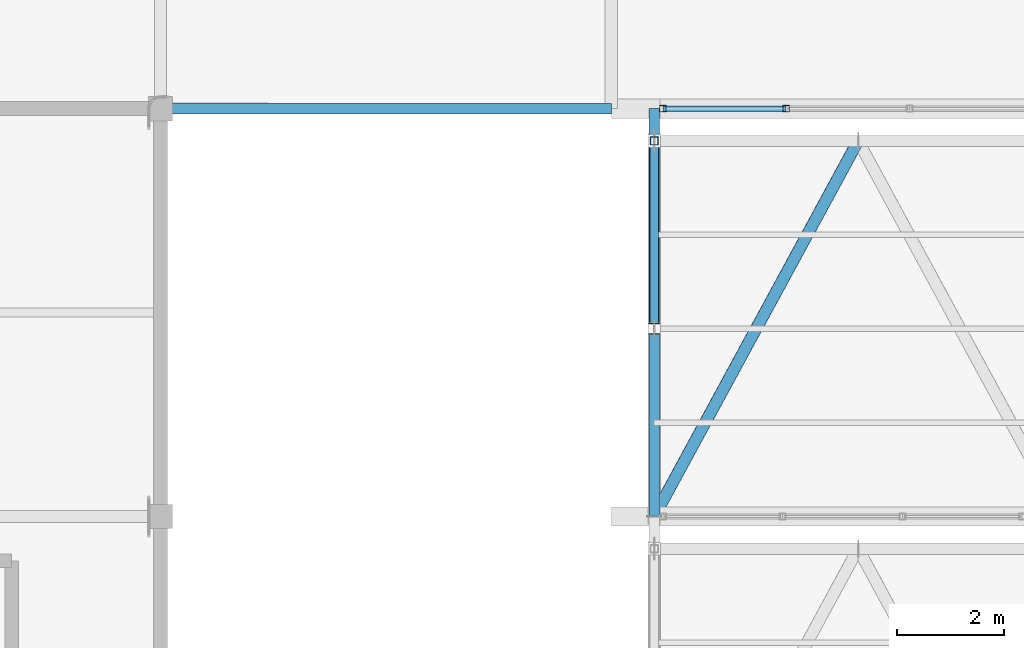
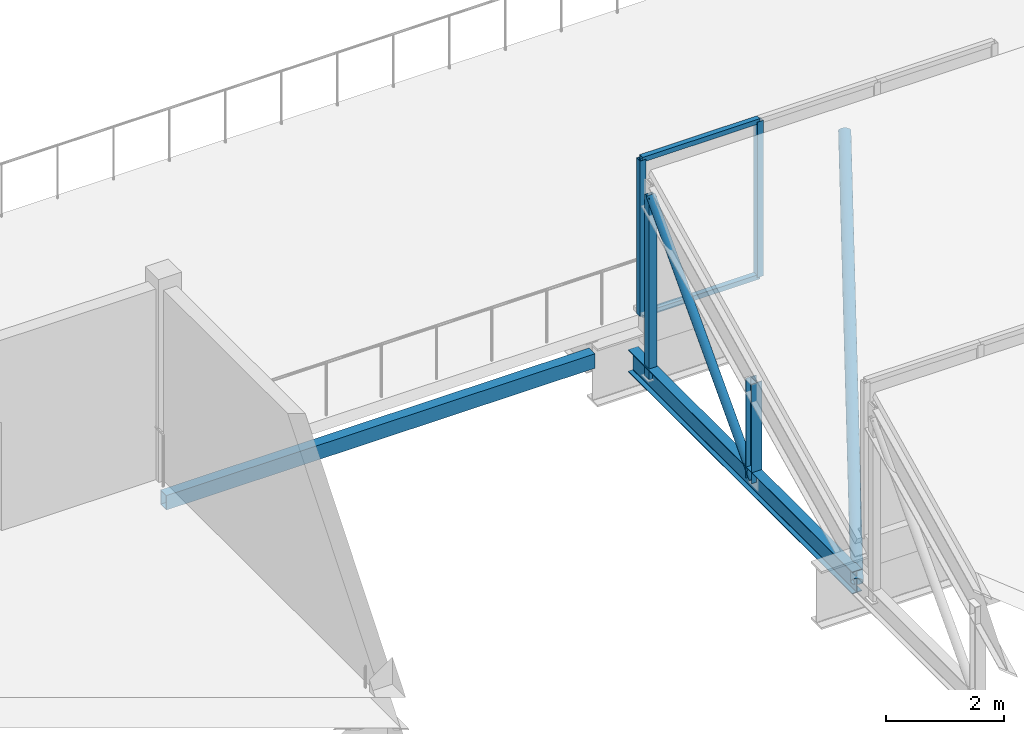
# One storey, part 17 of 57: 9 members, 1 beam, 1 element without a shape of its own.
"""IFC4 building model written with IfcOpenShell, lengths in metres."""

from ifc_helpers import new_model, si_unit, direction, frame, origin, origin_2d, place, context, subcontext, project, spatial, hollow_rectangle, hollow_circle, i_section, extrude, material, material_profile, profile_set, type_object, element, aggregate, save


model = new_model("IFC4")

# Units and contexts
model_context = context("Model", 3, precision=1e-05, world=origin(), true_north=direction((0.0, 1.0)))
body_context = subcontext(model_context, "Body", "Model", "MODEL_VIEW")
ifc_project = project(units=[si_unit("LENGTHUNIT", "METRE"), si_unit("AREAUNIT", "SQUARE_METRE"), si_unit("VOLUMEUNIT", "CUBIC_METRE"), si_unit("PLANEANGLEUNIT", "RADIAN"), si_unit("MASSUNIT", "GRAM", prefix="KILO")], contexts=[model_context])

# Site, building, storey
site_placement = place(None, origin())
site = spatial("IfcSite", under=ifc_project, at=site_placement, CompositionType="ELEMENT")
building_placement = place(site_placement, origin())
building = spatial("IfcBuilding", under=site, at=building_placement, Name="Zuvorla Pavilion Media Centre", CompositionType="ELEMENT")
storey_placement = place(building_placement, frame((0.0, 0.0, 18.0)))
storey = spatial("IfcBuildingStorey", under=building, at=storey_placement, Name="L04", CompositionType="ELEMENT", Elevation=18.0)

# Beam
ifc_material_1 = material(Name="Steel S355", Category="steel")
ifc_material_profile_1 = material_profile(ifc_material_1, hollow_rectangle(XDim=0.199951171875, YDim=0.300048828125, WallThickness=0.012451171875, at=origin_2d()), Name="RHS 300x200x12.5")
ifc_profile_set_1 = profile_set([ifc_material_profile_1], Name="Steel S355")
beam_type = type_object("IfcBeamType", Name="BM-SP-RHS300", PredefinedType="SPANDREL", material=ifc_profile_set_1)
beam_placement = place(storey_placement, frame((108.800048828125, 44.0, -0.577880859375), z_axis=(1.0, 0.0, 0.0), x_axis=(0.0, 1.0, 0.0)))
element("IfcBeam", 1, at=beam_placement, inside=storey, type_object=beam_type, Name="L04 spandrel SP01 1328", PredefinedType="SPANDREL", context=body_context, shape_type="SweptSolid", body=[
    extrude(hollow_rectangle(XDim=0.199951171875, YDim=0.300048828125, WallThickness=0.012451171875, at=origin_2d()), origin(), (0.0, 0.0, 1.0), 8.39990234375),
])

# Curtain wall, members
ifc_material_2 = material(Name="Unitised anodised aluminium and solar glass curtain wall", Category="aluminium")
curtain_wall_type = type_object("IfcCurtainWallType", Name="CW-SYS-92", PredefinedType="USERDEFINED", material=ifc_material_2)
curtain_wall_placement = place(storey_placement, origin())
curtain_wall = element("IfcCurtainWall", 2, at=curtain_wall_placement, inside=storey, type_object=curtain_wall_type, Name="L04 curtain wall CW92 246", ObjectType="CURTAIN WALL", PredefinedType="USERDEFINED")
ifc_material_3 = material(Name="Anodised aluminium 6063-T6", Category="aluminium")
ifc_material_profile_2 = material_profile(ifc_material_3, hollow_rectangle(XDim=0.1201171875, YDim=0.1201171875, WallThickness=0.0048828125, at=origin_2d()), Name="ALU MULL 120x120")
ifc_profile_set_2 = profile_set([ifc_material_profile_2], Name="Anodised aluminium 6063-T6")
member_type_1 = type_object("IfcMemberType", Name="CW-MULL-120", PredefinedType="MULLION", material=ifc_profile_set_2)
member_1_placement = place(storey_placement, frame((118.159912109375, 44.0, 0.0), z_axis=(0.0, 0.0, 1.0), x_axis=(1.0, 0.0, 0.0)))
member_1 = element("IfcMember", 3, at=member_1_placement, type_object=member_type_1, Name="CW92 mullion 1", PredefinedType="MULLION", context=body_context, shape_type="SweptSolid", body=[
    extrude(hollow_rectangle(XDim=0.1201171875, YDim=0.1201171875, WallThickness=0.0048828125, at=origin_2d()), origin(), (0.0, 0.0, 1.0), 3.219970703125),
])
member_2_placement = place(storey_placement, frame((120.458984375, 44.0, 0.0), z_axis=(0.0, 0.0, 1.0), x_axis=(1.0, 0.0, 0.0)))
member_2 = element("IfcMember", 4, at=member_2_placement, type_object=member_type_1, Name="CW92 mullion 2", PredefinedType="MULLION", context=body_context, shape_type="SweptSolid", body=[
    extrude(hollow_rectangle(XDim=0.1201171875, YDim=0.1201171875, WallThickness=0.0048828125, at=origin_2d()), origin(), (0.0, 0.0, 1.0), 3.219970703125),
])
ifc_material_profile_3 = material_profile(ifc_material_3, hollow_rectangle(XDim=0.10009765625, YDim=0.10009765625, WallThickness=0.00439453125, at=origin_2d()), Name="ALU TRAN 100x100")
ifc_profile_set_3 = profile_set([ifc_material_profile_3], Name="Anodised aluminium 6063-T6")
member_type_2 = type_object("IfcMemberType", Name="CW-TRAN-100", PredefinedType="USERDEFINED", material=ifc_profile_set_3)
member_3_placement = place(storey_placement, frame((118.159912109375, 44.0, 0.0), z_axis=(1.0, 0.0, 0.0), x_axis=(0.0, 1.0, 0.0)))
member_3 = element("IfcMember", 5, at=member_3_placement, type_object=member_type_2, Name="CW92 transom 1.1", ObjectType="TRANSOM", PredefinedType="USERDEFINED", context=body_context, shape_type="SweptSolid", body=[
    extrude(hollow_rectangle(XDim=0.10009765625, YDim=0.10009765625, WallThickness=0.00439453125, at=origin_2d()), origin(), (0.0, 0.0, 1.0), 2.299072265625),
])
member_4_placement = place(storey_placement, frame((118.159912109375, 44.0, 3.219970703125), z_axis=(1.0, 0.0, 0.0), x_axis=(0.0, 1.0, 0.0)))
member_4 = element("IfcMember", 6, at=member_4_placement, type_object=member_type_2, Name="CW92 transom 1.2", ObjectType="TRANSOM", PredefinedType="USERDEFINED", context=body_context, shape_type="SweptSolid", body=[
    extrude(hollow_rectangle(XDim=0.10009765625, YDim=0.10009765625, WallThickness=0.00439453125, at=origin_2d()), origin(), (0.0, 0.0, 1.0), 2.299072265625),
])
aggregate(curtain_wall, [member_1, member_2, member_3, member_4])

# Members
ifc_material_profile_4 = material_profile(ifc_material_1, hollow_circle(Radius=0.084228515625, WallThickness=0.008056640625, at=origin_2d()), Name="CHS 168.3x8")
ifc_profile_set_4 = profile_set([ifc_material_profile_4], Name="Steel S355")
member_type_3 = type_object("IfcMemberType", Name="MEM-BRC-CHS168", PredefinedType="BRACE", material=ifc_profile_set_4)
member_5_placement = place(storey_placement, frame((118.0, 39.89990234375, -0.8798828125), z_axis=(0.0, 0.681156069412, 0.732138244529), x_axis=(-1.0, 0.0, 0.0)))
element("IfcMember", 7, at=member_5_placement, inside=storey, type_object=member_type_3, Name="L04 diagonal brace TB03 741", PredefinedType="BRACE", context=body_context, shape_type="SweptSolid", body=[
    extrude(hollow_circle(Radius=0.084228515625, WallThickness=0.008056640625, at=origin_2d()), origin(), (0.0, 0.0, 1.0), 5.138427734375),
])
ifc_material_profile_5 = material_profile(ifc_material_1, hollow_circle(Radius=0.109619140625, WallThickness=0.010009765625, at=origin_2d()), Name="CHS 219.1x10")
ifc_profile_set_5 = profile_set([ifc_material_profile_5], Name="Steel S355")
member_type_4 = type_object("IfcMemberType", Name="MEM-BRC-CHS219", PredefinedType="BRACE", material=ifc_profile_set_5)
member_6_placement = place(storey_placement, frame((118.0, 36.39990234375, -0.8798828125), z_axis=(0.431398513672, 0.79467126142, 0.427074827958), x_axis=(-0.878850861224, 0.477096597899, 0.0)))
element("IfcMember", 8, at=member_6_placement, inside=storey, type_object=member_type_4, Name="L04 diagonal brace TB02 769", PredefinedType="BRACE", context=body_context, shape_type="SweptSolid", body=[
    extrude(hollow_circle(Radius=0.109619140625, WallThickness=0.010009765625, at=origin_2d()), origin(), (0.0, 0.0, 1.0), 8.80859375),
])
ifc_material_profile_6 = material_profile(ifc_material_1, i_section(OverallWidth=0.19140625, OverallDepth=0.4599609375, WebThickness=0.010009765625, FlangeThickness=0.01611328125, FilletRadius=0.01025390625, at=origin_2d()), Name="UB 457x191x82")
ifc_profile_set_6 = profile_set([ifc_material_profile_6], Name="Steel S355")
member_type_5 = type_object("IfcMemberType", Name="MEM-CHD-UB457", PredefinedType="CHORD", material=ifc_profile_set_6)
member_7_placement = place(storey_placement, frame((118.0, 36.39990234375, -0.8798828125), z_axis=(0.0, 1.0, 0.0), x_axis=(-1.0, 0.0, 0.0)))
element("IfcMember", 9, at=member_7_placement, inside=storey, type_object=member_type_5, Name="L04 chord TC03 738", PredefinedType="CHORD", context=body_context, shape_type="SweptSolid", body=[
    extrude(i_section(OverallWidth=0.19140625, OverallDepth=0.4599609375, WebThickness=0.010009765625, FlangeThickness=0.01611328125, FilletRadius=0.01025390625, at=origin_2d()), origin(), (0.0, 0.0, 1.0), 7.60009765625),
])
ifc_material_profile_7 = material_profile(ifc_material_1, hollow_rectangle(XDim=0.14990234375, YDim=0.14990234375, WallThickness=0.008056640625, at=origin_2d()), Name="SHS 150x150x8")
ifc_profile_set_7 = profile_set([ifc_material_profile_7], Name="Steel S355")
member_type_6 = type_object("IfcMemberType", Name="MEM-STR-SHS150", PredefinedType="STRUT", material=ifc_profile_set_7)
member_8_placement = place(storey_placement, frame((118.0, 43.39990234375, -0.8798828125), z_axis=(0.0, 0.0, 1.0), x_axis=(1.0, 0.0, 0.0)))
element("IfcMember", 10, at=member_8_placement, inside=storey, type_object=member_type_6, Name="L04 vertical strut TS01 740", PredefinedType="STRUT", context=body_context, shape_type="SweptSolid", body=[
    extrude(hollow_rectangle(XDim=0.14990234375, YDim=0.14990234375, WallThickness=0.008056640625, at=origin_2d()), origin(), (0.0, 0.0, 1.0), 3.761962890625),
])
ifc_material_profile_8 = material_profile(ifc_material_1, i_section(OverallWidth=0.205810546875, OverallDepth=0.209716796875, WebThickness=0.009521484375, FlangeThickness=0.01416015625, FilletRadius=0.01025390625, at=origin_2d()), Name="UC 203x203x60")
ifc_profile_set_8 = profile_set([ifc_material_profile_8], Name="Steel S355")
member_type_7 = type_object("IfcMemberType", Name="MEM-STR-UC203", PredefinedType="STRUT", material=ifc_profile_set_8)
member_9_placement = place(storey_placement, frame((118.0, 39.89990234375, -0.8798828125), z_axis=(0.0, 0.0, 1.0), x_axis=(1.0, 0.0, 0.0)))
element("IfcMember", 11, at=member_9_placement, inside=storey, type_object=member_type_7, Name="L04 vertical strut TS02 742", PredefinedType="STRUT", context=body_context, shape_type="SweptSolid", body=[
    extrude(i_section(OverallWidth=0.205810546875, OverallDepth=0.209716796875, WebThickness=0.009521484375, FlangeThickness=0.01416015625, FilletRadius=0.01025390625, at=origin_2d()), origin(), (0.0, 0.0, 1.0), 2.06201171875),
])

save(model, "model.ifc")
